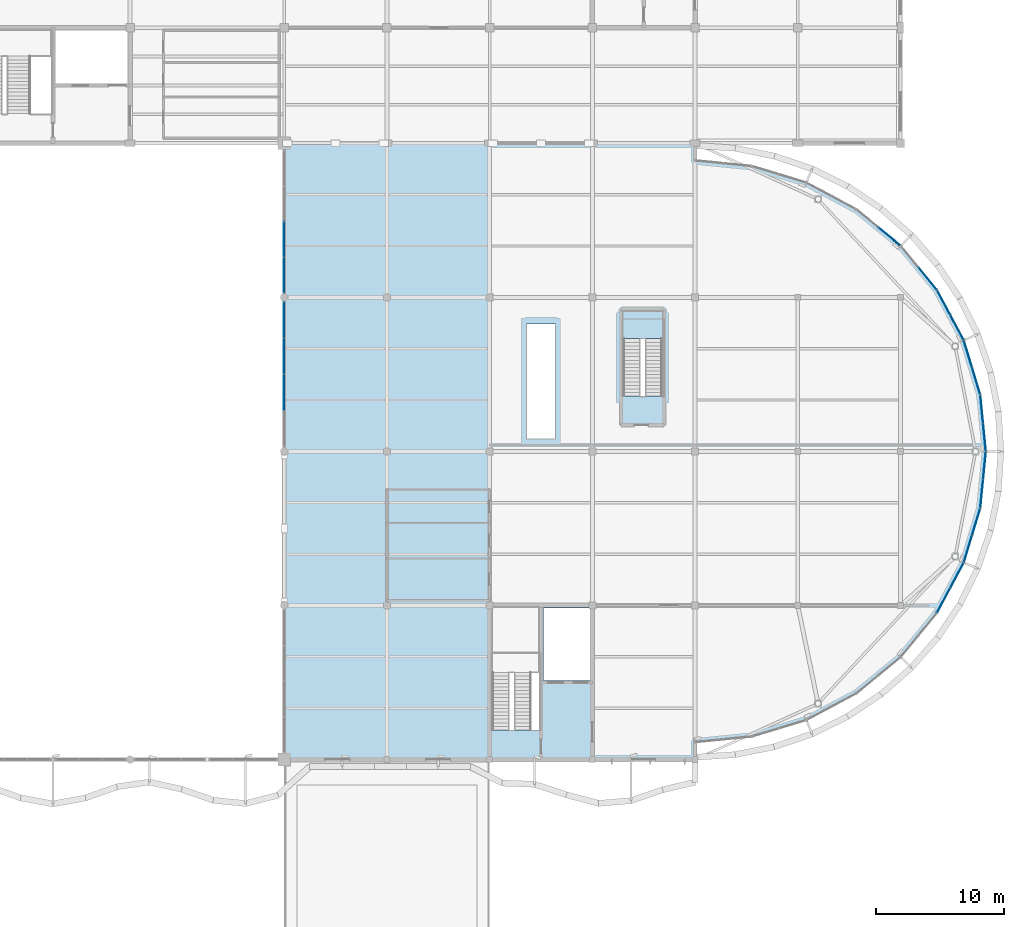
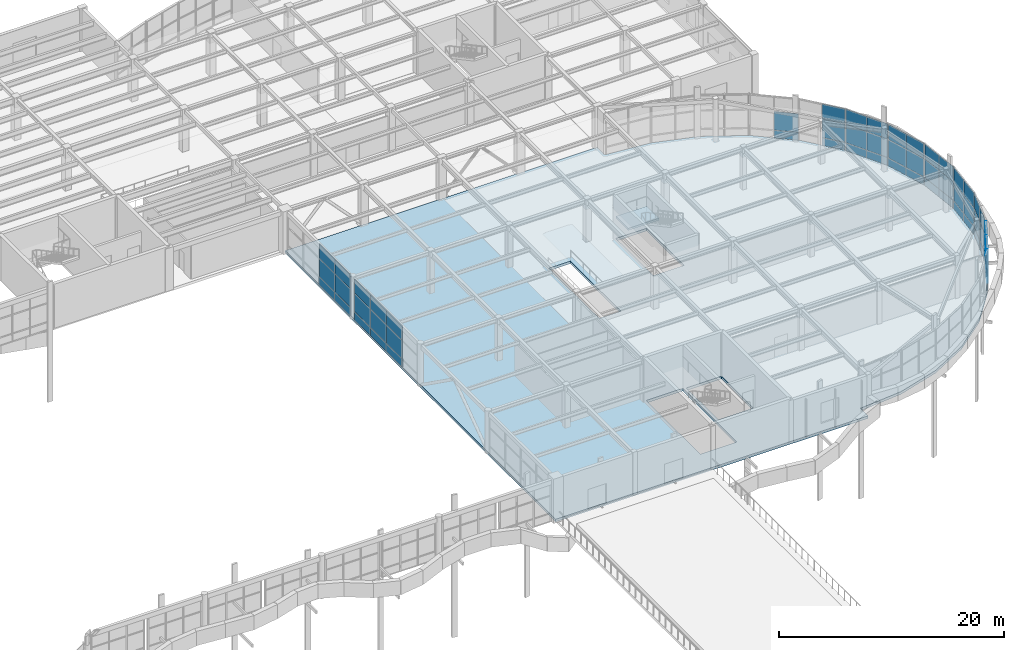
# One storey, part 39 of 63: 56 plates, 2 slabs, 11 elements without a shape of their own.
"""IFC4 building model written with IfcOpenShell, lengths in metres."""

from ifc_helpers import new_model, si_unit, direction, frame, origin, origin_2d, place, context, subcontext, project, spatial, polyline, rectangle, outline, extrude, material, layer, layer_set, type_object, element, aggregate, save


model = new_model("IFC4")

# Units and contexts
model_context = context("Model", 3, precision=1e-05, world=origin(), true_north=direction((0.0, 1.0)))
body_context = subcontext(model_context, "Body", "Model", "MODEL_VIEW")
ifc_project = project(units=[si_unit("LENGTHUNIT", "METRE"), si_unit("AREAUNIT", "SQUARE_METRE"), si_unit("VOLUMEUNIT", "CUBIC_METRE"), si_unit("PLANEANGLEUNIT", "RADIAN"), si_unit("MASSUNIT", "GRAM", prefix="KILO")], contexts=[model_context])

# Site, building, storey
site_placement = place(None, origin())
site = spatial("IfcSite", under=ifc_project, at=site_placement, CompositionType="ELEMENT")
building_placement = place(site_placement, origin())
building = spatial("IfcBuilding", under=site, at=building_placement, Name="Keelwater Ferry Terminal", CompositionType="ELEMENT")
storey_placement = place(building_placement, frame((0.0, 0.0, 10.199951171875)))
storey = spatial("IfcBuildingStorey", under=building, at=storey_placement, Name="L02", CompositionType="ELEMENT", Elevation=10.199951171875)

# Curtain wall, plates
ifc_material_1 = material(Name="Thermally broken unitised aluminium and triple glass", Category="aluminium")
ifc_layer_1 = layer(ifc_material_1, 0.179931640625)
ifc_layer_set_1 = layer_set([ifc_layer_1], Name="Thermally broken unitised aluminium and triple glass")
curtain_wall_type_1 = type_object("IfcCurtainWallType", Name="CW-15 Unitised Curtain Wall 11250x4450", PredefinedType="USERDEFINED", material=ifc_layer_set_1)
curtain_wall_1_placement = place(storey_placement, origin())
curtain_wall_1 = element("IfcCurtainWall", 1, at=curtain_wall_1_placement, inside=storey, type_object=curtain_wall_type_1, Name="Unitised Curtain Wall CW-L02-075", ObjectType="UNITISED CURTAIN WALL", PredefinedType="USERDEFINED")
ifc_material_2 = material(Name="Insulated white cassette spandrel", Category="aluminium")
ifc_layer_2 = layer(ifc_material_2, 0.094970703125)
ifc_layer_set_2 = layer_set([ifc_layer_2], Name="Insulated white cassette spandrel")
plate_type_1 = type_object("IfcPlateType", Name="CWP-S2 Insulated Spandrel Panel 95", PredefinedType="CURTAIN_PANEL", material=ifc_layer_set_2)
plate_1_placement = place(storey_placement, frame((132.0, 70.59375, 0.0), z_axis=(0.0, 0.0, 1.0), x_axis=(0.0, 1.0, 0.0)))
plate_1 = element("IfcPlate", 2, at=plate_1_placement, type_object=plate_type_1, Name="CW-L02-075 Panel 2.1", PredefinedType="CURTAIN_PANEL", context=body_context, shape_type="SweptSolid", body=[
    extrude(rectangle(XDim=2.8125, YDim=0.094970703125, at=origin_2d()), origin(), (0.0, 0.0, 1.0), 0.89990234375),
])
plate_2_placement = place(storey_placement, frame((132.0, 73.40625, 0.0), z_axis=(0.0, 0.0, 1.0), x_axis=(0.0, 1.0, 0.0)))
plate_2 = element("IfcPlate", 3, at=plate_2_placement, type_object=plate_type_1, Name="CW-L02-075 Panel 3.1", PredefinedType="CURTAIN_PANEL", context=body_context, shape_type="SweptSolid", body=[
    extrude(rectangle(XDim=2.8125, YDim=0.094970703125, at=origin_2d()), origin(), (0.0, 0.0, 1.0), 0.89990234375),
])
plate_3_placement = place(storey_placement, frame((132.0, 76.21875, 0.0), z_axis=(0.0, 0.0, 1.0), x_axis=(0.0, 1.0, 0.0)))
plate_3 = element("IfcPlate", 4, at=plate_3_placement, type_object=plate_type_1, Name="CW-L02-075 Panel 4.1", PredefinedType="CURTAIN_PANEL", context=body_context, shape_type="SweptSolid", body=[
    extrude(rectangle(XDim=2.8125, YDim=0.094970703125, at=origin_2d()), origin(), (0.0, 0.0, 1.0), 0.89990234375),
])

ifc_material_3 = material(Name="Thermally broken unitised aluminium and triple glass", Category="aluminium")
ifc_layer_3 = layer(ifc_material_3, 0.179931640625)
ifc_layer_set_3 = layer_set([ifc_layer_3], Name="Thermally broken unitised aluminium and triple glass")
curtain_wall_type_2 = type_object("IfcCurtainWallType", Name="CW-14 Unitised Curtain Wall 11050x4450", PredefinedType="USERDEFINED", material=ifc_layer_set_3)
curtain_wall_2_placement = place(storey_placement, origin())
curtain_wall_2 = element("IfcCurtainWall", 5, at=curtain_wall_2_placement, inside=storey, type_object=curtain_wall_type_2, Name="Unitised Curtain Wall CW-L02-076", ObjectType="UNITISED CURTAIN WALL", PredefinedType="USERDEFINED")
plate_4_placement = place(storey_placement, frame((132.0, 79.75634765625, 0.0), z_axis=(0.0, 0.0, 1.0), x_axis=(0.0, 1.0, 0.0)))
plate_4 = element("IfcPlate", 6, at=plate_4_placement, type_object=plate_type_1, Name="CW-L02-076 Panel 1.1", PredefinedType="CURTAIN_PANEL", context=body_context, shape_type="SweptSolid", body=[
    extrude(rectangle(XDim=2.762451171875, YDim=0.094970703125, at=origin_2d()), origin(), (0.0, 0.0, 1.0), 0.89990234375),
])
plate_5_placement = place(storey_placement, frame((132.0, 82.518798828125, 0.0), z_axis=(0.0, 0.0, 1.0), x_axis=(0.0, 1.0, 0.0)))
plate_5 = element("IfcPlate", 7, at=plate_5_placement, type_object=plate_type_1, Name="CW-L02-076 Panel 2.1", PredefinedType="CURTAIN_PANEL", context=body_context, shape_type="SweptSolid", body=[
    extrude(rectangle(XDim=2.762451171875, YDim=0.094970703125, at=origin_2d()), origin(), (0.0, 0.0, 1.0), 0.89990234375),
])

ifc_material_4 = material(Name="Thermally broken unitised aluminium and triple glass", Category="aluminium")
ifc_layer_4 = layer(ifc_material_4, 0.179931640625)
ifc_layer_set_4 = layer_set([ifc_layer_4], Name="Thermally broken unitised aluminium and triple glass")
curtain_wall_type_3 = type_object("IfcCurtainWallType", Name="CW-19 Unitised Curtain Wall 4350x4480", PredefinedType="USERDEFINED", material=ifc_layer_set_4)
curtain_wall_3_placement = place(storey_placement, origin())
curtain_wall_3 = element("IfcCurtainWall", 8, at=curtain_wall_3_placement, inside=storey, type_object=curtain_wall_type_3, Name="Unitised Curtain Wall CW-L02-162", ObjectType="UNITISED CURTAIN WALL", PredefinedType="USERDEFINED")
plate_6_placement = place(storey_placement, frame((183.36669921875, 54.4150390625, 0.0), z_axis=(0.0, 0.0, 1.0), x_axis=(0.471506749303, 0.881862452632, 0.0)))
plate_6 = element("IfcPlate", 9, at=plate_6_placement, type_object=plate_type_1, Name="CW-L02-162 Panel 1.1", PredefinedType="CURTAIN_PANEL", context=body_context, shape_type="SweptSolid", body=[
    extrude(rectangle(XDim=2.175048828125, YDim=0.094970703125, at=origin_2d()), origin(), (0.0, 0.0, 1.0), 0.85009765625),
])
plate_7_placement = place(storey_placement, frame((184.392333984375, 56.3330078125, 0.0), z_axis=(0.0, 0.0, 1.0), x_axis=(0.471506749303, 0.881862452632, 0.0)))
plate_7 = element("IfcPlate", 10, at=plate_7_placement, type_object=plate_type_1, Name="CW-L02-162 Panel 2.1", PredefinedType="CURTAIN_PANEL", context=body_context, shape_type="SweptSolid", body=[
    extrude(rectangle(XDim=2.175048828125, YDim=0.094970703125, at=origin_2d()), origin(), (0.0, 0.0, 1.0), 0.85009765625),
])

curtain_wall_4_placement = place(storey_placement, origin())
curtain_wall_4 = element("IfcCurtainWall", 11, at=curtain_wall_4_placement, inside=storey, type_object=curtain_wall_type_3, Name="Unitised Curtain Wall CW-L02-163", ObjectType="UNITISED CURTAIN WALL", PredefinedType="USERDEFINED")
plate_8_placement = place(storey_placement, frame((185.254638671875, 58.415771484375, 0.0), z_axis=(0.0, 0.0, 1.0), x_axis=(0.290319989003, 0.956929623319, 0.0)))
plate_8 = element("IfcPlate", 12, at=plate_8_placement, type_object=plate_type_1, Name="CW-L02-163 Panel 1.1", PredefinedType="CURTAIN_PANEL", context=body_context, shape_type="SweptSolid", body=[
    extrude(rectangle(XDim=2.17529296875, YDim=0.094970703125, at=origin_2d()), origin(), (0.0, 0.0, 1.0), 0.85009765625),
])
plate_9_placement = place(storey_placement, frame((185.88623046875, 60.497314453125, 0.0), z_axis=(0.0, 0.0, 1.0), x_axis=(0.290319989003, 0.956929623319, 0.0)))
plate_9 = element("IfcPlate", 13, at=plate_9_placement, type_object=plate_type_1, Name="CW-L02-163 Panel 2.1", PredefinedType="CURTAIN_PANEL", context=body_context, shape_type="SweptSolid", body=[
    extrude(rectangle(XDim=2.17529296875, YDim=0.094970703125, at=origin_2d()), origin(), (0.0, 0.0, 1.0), 0.85009765625),
])

curtain_wall_5_placement = place(storey_placement, origin())
curtain_wall_5 = element("IfcCurtainWall", 14, at=curtain_wall_5_placement, inside=storey, type_object=curtain_wall_type_3, Name="Unitised Curtain Wall CW-L02-164", ObjectType="UNITISED CURTAIN WALL", PredefinedType="USERDEFINED")
plate_10_placement = place(storey_placement, frame((186.32568359375, 62.708251953125, 0.0), z_axis=(0.0, 0.0, 1.0), x_axis=(0.098160737969, 0.995170573079, 0.0)))
plate_10 = element("IfcPlate", 15, at=plate_10_placement, type_object=plate_type_1, Name="CW-L02-164 Panel 1.1", PredefinedType="CURTAIN_PANEL", context=body_context, shape_type="SweptSolid", body=[
    extrude(rectangle(XDim=2.175048828125, YDim=0.094970703125, at=origin_2d()), origin(), (0.0, 0.0, 1.0), 0.85009765625),
])
plate_11_placement = place(storey_placement, frame((186.539306640625, 64.872802734375, 0.0), z_axis=(0.0, 0.0, 1.0), x_axis=(0.098160737969, 0.995170573079, 0.0)))
plate_11 = element("IfcPlate", 16, at=plate_11_placement, type_object=plate_type_1, Name="CW-L02-164 Panel 2.1", PredefinedType="CURTAIN_PANEL", context=body_context, shape_type="SweptSolid", body=[
    extrude(rectangle(XDim=2.175048828125, YDim=0.094970703125, at=origin_2d()), origin(), (0.0, 0.0, 1.0), 0.85009765625),
])

curtain_wall_6_placement = place(storey_placement, origin())
curtain_wall_6 = element("IfcCurtainWall", 17, at=curtain_wall_6_placement, inside=storey, type_object=curtain_wall_type_3, Name="Unitised Curtain Wall CW-L02-165", ObjectType="UNITISED CURTAIN WALL", PredefinedType="USERDEFINED")
plate_12_placement = place(storey_placement, frame((186.539306640625, 67.127197265625, 0.0), z_axis=(0.0, 0.0, 1.0), x_axis=(-0.098160737969, 0.995170573079, 0.0)))
plate_12 = element("IfcPlate", 18, at=plate_12_placement, type_object=plate_type_1, Name="CW-L02-165 Panel 1.1", PredefinedType="CURTAIN_PANEL", context=body_context, shape_type="SweptSolid", body=[
    extrude(rectangle(XDim=2.175048828125, YDim=0.094970703125, at=origin_2d()), origin(), (0.0, 0.0, 1.0), 0.85009765625),
])
plate_13_placement = place(storey_placement, frame((186.32568359375, 69.291748046875, 0.0), z_axis=(0.0, 0.0, 1.0), x_axis=(-0.098160737969, 0.995170573079, 0.0)))
plate_13 = element("IfcPlate", 19, at=plate_13_placement, type_object=plate_type_1, Name="CW-L02-165 Panel 2.1", PredefinedType="CURTAIN_PANEL", context=body_context, shape_type="SweptSolid", body=[
    extrude(rectangle(XDim=2.175048828125, YDim=0.094970703125, at=origin_2d()), origin(), (0.0, 0.0, 1.0), 0.85009765625),
])

curtain_wall_7_placement = place(storey_placement, origin())
curtain_wall_7 = element("IfcCurtainWall", 20, at=curtain_wall_7_placement, inside=storey, type_object=curtain_wall_type_3, Name="Unitised Curtain Wall CW-L02-166", ObjectType="UNITISED CURTAIN WALL", PredefinedType="USERDEFINED")
plate_14_placement = place(storey_placement, frame((185.88623046875, 71.502685546875, 0.0), z_axis=(0.0, 0.0, 1.0), x_axis=(-0.290319989003, 0.956929623319, 0.0)))
plate_14 = element("IfcPlate", 21, at=plate_14_placement, type_object=plate_type_1, Name="CW-L02-166 Panel 1.1", PredefinedType="CURTAIN_PANEL", context=body_context, shape_type="SweptSolid", body=[
    extrude(rectangle(XDim=2.17529296875, YDim=0.094970703125, at=origin_2d()), origin(), (0.0, 0.0, 1.0), 0.85009765625),
])
plate_15_placement = place(storey_placement, frame((185.254638671875, 73.584228515625, 0.0), z_axis=(0.0, 0.0, 1.0), x_axis=(-0.290319989003, 0.956929623319, 0.0)))
plate_15 = element("IfcPlate", 22, at=plate_15_placement, type_object=plate_type_1, Name="CW-L02-166 Panel 2.1", PredefinedType="CURTAIN_PANEL", context=body_context, shape_type="SweptSolid", body=[
    extrude(rectangle(XDim=2.17529296875, YDim=0.094970703125, at=origin_2d()), origin(), (0.0, 0.0, 1.0), 0.85009765625),
])

curtain_wall_8_placement = place(storey_placement, origin())
curtain_wall_8 = element("IfcCurtainWall", 23, at=curtain_wall_8_placement, inside=storey, type_object=curtain_wall_type_3, Name="Unitised Curtain Wall CW-L02-167", ObjectType="UNITISED CURTAIN WALL", PredefinedType="USERDEFINED")
plate_16_placement = place(storey_placement, frame((184.392333984375, 75.6669921875, 0.0), z_axis=(0.0, 0.0, 1.0), x_axis=(-0.471506749303, 0.881862452632, 0.0)))
plate_16 = element("IfcPlate", 24, at=plate_16_placement, type_object=plate_type_1, Name="CW-L02-167 Panel 1.1", PredefinedType="CURTAIN_PANEL", context=body_context, shape_type="SweptSolid", body=[
    extrude(rectangle(XDim=2.175048828125, YDim=0.094970703125, at=origin_2d()), origin(), (0.0, 0.0, 1.0), 0.85009765625),
])
plate_17_placement = place(storey_placement, frame((183.36669921875, 77.5849609375, 0.0), z_axis=(0.0, 0.0, 1.0), x_axis=(-0.471506749303, 0.881862452632, 0.0)))
plate_17 = element("IfcPlate", 25, at=plate_17_placement, type_object=plate_type_1, Name="CW-L02-167 Panel 2.1", PredefinedType="CURTAIN_PANEL", context=body_context, shape_type="SweptSolid", body=[
    extrude(rectangle(XDim=2.175048828125, YDim=0.094970703125, at=origin_2d()), origin(), (0.0, 0.0, 1.0), 0.85009765625),
])

# Curtain wall, plate
curtain_wall_9_placement = place(storey_placement, origin())
curtain_wall_9 = element("IfcCurtainWall", 26, at=curtain_wall_9_placement, inside=storey, type_object=curtain_wall_type_3, Name="Unitised Curtain Wall CW-L02-168", ObjectType="UNITISED CURTAIN WALL", PredefinedType="USERDEFINED")
plate_18_placement = place(storey_placement, frame((182.1142578125, 79.45947265625, 0.0), z_axis=(0.0, 0.0, 1.0), x_axis=(-0.634376508991, 0.773024220086, 0.0)))
plate_18 = element("IfcPlate", 27, at=plate_18_placement, type_object=plate_type_1, Name="CW-L02-168 Panel 1.1", PredefinedType="CURTAIN_PANEL", context=body_context, shape_type="SweptSolid", body=[
    extrude(rectangle(XDim=2.174560546875, YDim=0.094970703125, at=origin_2d()), origin(), (0.0, 0.0, 1.0), 0.85009765625),
])

curtain_wall_10_placement = place(storey_placement, origin())
curtain_wall_10 = element("IfcCurtainWall", 28, at=curtain_wall_10_placement, inside=storey, type_object=curtain_wall_type_3, Name="Unitised Curtain Wall CW-L02-169", ObjectType="UNITISED CURTAIN WALL", PredefinedType="USERDEFINED")
plate_19_placement = place(storey_placement, frame((179.140380859375, 82.73486328125, 0.0), z_axis=(0.0, 0.0, 1.0), x_axis=(-0.773024220086, 0.634376508991, 0.0)))
plate_19 = element("IfcPlate", 29, at=plate_19_placement, type_object=plate_type_1, Name="CW-L02-169 Panel 1.1", PredefinedType="CURTAIN_PANEL", context=body_context, shape_type="SweptSolid", body=[
    extrude(rectangle(XDim=2.174560546875, YDim=0.094970703125, at=origin_2d()), origin(), (0.0, 0.0, 1.0), 0.85009765625),
])

# Plate
ifc_material_5 = material(Name="Triple solar-control glass", Category="glass")
ifc_layer_5 = layer(ifc_material_5, 0.0419921875)
ifc_layer_set_5 = layer_set([ifc_layer_5], Name="Triple solar-control glass")
plate_type_2 = type_object("IfcPlateType", Name="CWP-V2 Glazed Vision Panel 42", PredefinedType="CURTAIN_PANEL", material=ifc_layer_set_5)
plate_20_placement = place(storey_placement, frame((132.0, 70.59375, 0.900146484375), z_axis=(0.0, 0.0, 1.0), x_axis=(0.0, 1.0, 0.0)))
plate_20 = element("IfcPlate", 30, at=plate_20_placement, type_object=plate_type_2, Name="CW-L02-075 Panel 2.2", PredefinedType="CURTAIN_PANEL", context=body_context, shape_type="SweptSolid", body=[
    extrude(rectangle(XDim=2.8125, YDim=0.0419921875, at=origin_2d()), origin(), (0.0, 0.0, 1.0), 2.0),
])

plate_21_placement = place(storey_placement, frame((132.0, 70.59375, 2.89990234375), z_axis=(0.0, 0.0, 1.0), x_axis=(0.0, 1.0, 0.0)))
plate_21 = element("IfcPlate", 31, at=plate_21_placement, type_object=plate_type_2, Name="CW-L02-075 Panel 2.3", PredefinedType="CURTAIN_PANEL", context=body_context, shape_type="SweptSolid", body=[
    extrude(rectangle(XDim=2.8125, YDim=0.0419921875, at=origin_2d()), origin(), (0.0, 0.0, 1.0), 1.550048828125),
])

plate_22_placement = place(storey_placement, frame((132.0, 73.40625, 0.900146484375), z_axis=(0.0, 0.0, 1.0), x_axis=(0.0, 1.0, 0.0)))
plate_22 = element("IfcPlate", 32, at=plate_22_placement, type_object=plate_type_2, Name="CW-L02-075 Panel 3.2", PredefinedType="CURTAIN_PANEL", context=body_context, shape_type="SweptSolid", body=[
    extrude(rectangle(XDim=2.8125, YDim=0.0419921875, at=origin_2d()), origin(), (0.0, 0.0, 1.0), 2.0),
])

plate_23_placement = place(storey_placement, frame((132.0, 73.40625, 2.89990234375), z_axis=(0.0, 0.0, 1.0), x_axis=(0.0, 1.0, 0.0)))
plate_23 = element("IfcPlate", 33, at=plate_23_placement, type_object=plate_type_2, Name="CW-L02-075 Panel 3.3", PredefinedType="CURTAIN_PANEL", context=body_context, shape_type="SweptSolid", body=[
    extrude(rectangle(XDim=2.8125, YDim=0.0419921875, at=origin_2d()), origin(), (0.0, 0.0, 1.0), 1.550048828125),
])

plate_24_placement = place(storey_placement, frame((132.0, 76.21875, 0.900146484375), z_axis=(0.0, 0.0, 1.0), x_axis=(0.0, 1.0, 0.0)))
plate_24 = element("IfcPlate", 34, at=plate_24_placement, type_object=plate_type_2, Name="CW-L02-075 Panel 4.2", PredefinedType="CURTAIN_PANEL", context=body_context, shape_type="SweptSolid", body=[
    extrude(rectangle(XDim=2.8125, YDim=0.0419921875, at=origin_2d()), origin(), (0.0, 0.0, 1.0), 2.0),
])

plate_25_placement = place(storey_placement, frame((132.0, 76.21875, 2.89990234375), z_axis=(0.0, 0.0, 1.0), x_axis=(0.0, 1.0, 0.0)))
plate_25 = element("IfcPlate", 35, at=plate_25_placement, type_object=plate_type_2, Name="CW-L02-075 Panel 4.3", PredefinedType="CURTAIN_PANEL", context=body_context, shape_type="SweptSolid", body=[
    extrude(rectangle(XDim=2.8125, YDim=0.0419921875, at=origin_2d()), origin(), (0.0, 0.0, 1.0), 1.550048828125),
])

aggregate(curtain_wall_1, [plate_1, plate_20, plate_21, plate_2, plate_22, plate_23, plate_3, plate_24, plate_25])

plate_26_placement = place(storey_placement, frame((132.0, 79.75634765625, 0.900146484375), z_axis=(0.0, 0.0, 1.0), x_axis=(0.0, 1.0, 0.0)))
plate_26 = element("IfcPlate", 36, at=plate_26_placement, type_object=plate_type_2, Name="CW-L02-076 Panel 1.2", PredefinedType="CURTAIN_PANEL", context=body_context, shape_type="SweptSolid", body=[
    extrude(rectangle(XDim=2.762451171875, YDim=0.0419921875, at=origin_2d()), origin(), (0.0, 0.0, 1.0), 2.0),
])

plate_27_placement = place(storey_placement, frame((132.0, 79.75634765625, 2.89990234375), z_axis=(0.0, 0.0, 1.0), x_axis=(0.0, 1.0, 0.0)))
plate_27 = element("IfcPlate", 37, at=plate_27_placement, type_object=plate_type_2, Name="CW-L02-076 Panel 1.3", PredefinedType="CURTAIN_PANEL", context=body_context, shape_type="SweptSolid", body=[
    extrude(rectangle(XDim=2.762451171875, YDim=0.0419921875, at=origin_2d()), origin(), (0.0, 0.0, 1.0), 1.550048828125),
])

plate_28_placement = place(storey_placement, frame((132.0, 82.518798828125, 0.900146484375), z_axis=(0.0, 0.0, 1.0), x_axis=(0.0, 1.0, 0.0)))
plate_28 = element("IfcPlate", 38, at=plate_28_placement, type_object=plate_type_2, Name="CW-L02-076 Panel 2.2", PredefinedType="CURTAIN_PANEL", context=body_context, shape_type="SweptSolid", body=[
    extrude(rectangle(XDim=2.762451171875, YDim=0.0419921875, at=origin_2d()), origin(), (0.0, 0.0, 1.0), 2.0),
])

plate_29_placement = place(storey_placement, frame((132.0, 82.518798828125, 2.89990234375), z_axis=(0.0, 0.0, 1.0), x_axis=(0.0, 1.0, 0.0)))
plate_29 = element("IfcPlate", 39, at=plate_29_placement, type_object=plate_type_2, Name="CW-L02-076 Panel 2.3", PredefinedType="CURTAIN_PANEL", context=body_context, shape_type="SweptSolid", body=[
    extrude(rectangle(XDim=2.762451171875, YDim=0.0419921875, at=origin_2d()), origin(), (0.0, 0.0, 1.0), 1.550048828125),
])

aggregate(curtain_wall_2, [plate_4, plate_26, plate_27, plate_5, plate_28, plate_29])

plate_30_placement = place(storey_placement, frame((183.36669921875, 54.4150390625, 0.85009765625), z_axis=(0.0, 0.0, 1.0), x_axis=(0.471506749303, 0.881862452632, 0.0)))
plate_30 = element("IfcPlate", 40, at=plate_30_placement, type_object=plate_type_2, Name="CW-L02-162 Panel 1.2", PredefinedType="CURTAIN_PANEL", context=body_context, shape_type="SweptSolid", body=[
    extrude(rectangle(XDim=2.175048828125, YDim=0.0419921875, at=origin_2d()), origin(), (0.0, 0.0, 1.0), 2.0),
])

plate_31_placement = place(storey_placement, frame((183.36669921875, 54.4150390625, 2.85009765625), z_axis=(0.0, 0.0, 1.0), x_axis=(0.471506749303, 0.881862452632, 0.0)))
plate_31 = element("IfcPlate", 41, at=plate_31_placement, type_object=plate_type_2, Name="CW-L02-162 Panel 1.3", PredefinedType="CURTAIN_PANEL", context=body_context, shape_type="SweptSolid", body=[
    extrude(rectangle(XDim=2.175048828125, YDim=0.0419921875, at=origin_2d()), origin(), (0.0, 0.0, 1.0), 1.6298828125),
])

plate_32_placement = place(storey_placement, frame((184.392333984375, 56.3330078125, 0.85009765625), z_axis=(0.0, 0.0, 1.0), x_axis=(0.471506749303, 0.881862452632, 0.0)))
plate_32 = element("IfcPlate", 42, at=plate_32_placement, type_object=plate_type_2, Name="CW-L02-162 Panel 2.2", PredefinedType="CURTAIN_PANEL", context=body_context, shape_type="SweptSolid", body=[
    extrude(rectangle(XDim=2.175048828125, YDim=0.0419921875, at=origin_2d()), origin(), (0.0, 0.0, 1.0), 2.0),
])

plate_33_placement = place(storey_placement, frame((184.392333984375, 56.3330078125, 2.85009765625), z_axis=(0.0, 0.0, 1.0), x_axis=(0.471506749303, 0.881862452632, 0.0)))
plate_33 = element("IfcPlate", 43, at=plate_33_placement, type_object=plate_type_2, Name="CW-L02-162 Panel 2.3", PredefinedType="CURTAIN_PANEL", context=body_context, shape_type="SweptSolid", body=[
    extrude(rectangle(XDim=2.175048828125, YDim=0.0419921875, at=origin_2d()), origin(), (0.0, 0.0, 1.0), 1.6298828125),
])

aggregate(curtain_wall_3, [plate_6, plate_30, plate_31, plate_7, plate_32, plate_33])

plate_34_placement = place(storey_placement, frame((185.254638671875, 58.415771484375, 0.85009765625), z_axis=(0.0, 0.0, 1.0), x_axis=(0.290319989003, 0.956929623319, 0.0)))
plate_34 = element("IfcPlate", 44, at=plate_34_placement, type_object=plate_type_2, Name="CW-L02-163 Panel 1.2", PredefinedType="CURTAIN_PANEL", context=body_context, shape_type="SweptSolid", body=[
    extrude(rectangle(XDim=2.17529296875, YDim=0.0419921875, at=origin_2d()), origin(), (0.0, 0.0, 1.0), 2.0),
])

plate_35_placement = place(storey_placement, frame((185.254638671875, 58.415771484375, 2.85009765625), z_axis=(0.0, 0.0, 1.0), x_axis=(0.290319989003, 0.956929623319, 0.0)))
plate_35 = element("IfcPlate", 45, at=plate_35_placement, type_object=plate_type_2, Name="CW-L02-163 Panel 1.3", PredefinedType="CURTAIN_PANEL", context=body_context, shape_type="SweptSolid", body=[
    extrude(rectangle(XDim=2.17529296875, YDim=0.0419921875, at=origin_2d()), origin(), (0.0, 0.0, 1.0), 1.6298828125),
])

plate_36_placement = place(storey_placement, frame((185.88623046875, 60.497314453125, 0.85009765625), z_axis=(0.0, 0.0, 1.0), x_axis=(0.290319989003, 0.956929623319, 0.0)))
plate_36 = element("IfcPlate", 46, at=plate_36_placement, type_object=plate_type_2, Name="CW-L02-163 Panel 2.2", PredefinedType="CURTAIN_PANEL", context=body_context, shape_type="SweptSolid", body=[
    extrude(rectangle(XDim=2.17529296875, YDim=0.0419921875, at=origin_2d()), origin(), (0.0, 0.0, 1.0), 2.0),
])

plate_37_placement = place(storey_placement, frame((185.88623046875, 60.497314453125, 2.85009765625), z_axis=(0.0, 0.0, 1.0), x_axis=(0.290319989003, 0.956929623319, 0.0)))
plate_37 = element("IfcPlate", 47, at=plate_37_placement, type_object=plate_type_2, Name="CW-L02-163 Panel 2.3", PredefinedType="CURTAIN_PANEL", context=body_context, shape_type="SweptSolid", body=[
    extrude(rectangle(XDim=2.17529296875, YDim=0.0419921875, at=origin_2d()), origin(), (0.0, 0.0, 1.0), 1.6298828125),
])

aggregate(curtain_wall_4, [plate_8, plate_34, plate_35, plate_9, plate_36, plate_37])

plate_38_placement = place(storey_placement, frame((186.32568359375, 62.708251953125, 0.85009765625), z_axis=(0.0, 0.0, 1.0), x_axis=(0.098160737969, 0.995170573079, 0.0)))
plate_38 = element("IfcPlate", 48, at=plate_38_placement, type_object=plate_type_2, Name="CW-L02-164 Panel 1.2", PredefinedType="CURTAIN_PANEL", context=body_context, shape_type="SweptSolid", body=[
    extrude(rectangle(XDim=2.175048828125, YDim=0.0419921875, at=origin_2d()), origin(), (0.0, 0.0, 1.0), 2.0),
])

plate_39_placement = place(storey_placement, frame((186.32568359375, 62.708251953125, 2.85009765625), z_axis=(0.0, 0.0, 1.0), x_axis=(0.098160737969, 0.995170573079, 0.0)))
plate_39 = element("IfcPlate", 49, at=plate_39_placement, type_object=plate_type_2, Name="CW-L02-164 Panel 1.3", PredefinedType="CURTAIN_PANEL", context=body_context, shape_type="SweptSolid", body=[
    extrude(rectangle(XDim=2.175048828125, YDim=0.0419921875, at=origin_2d()), origin(), (0.0, 0.0, 1.0), 1.6298828125),
])

plate_40_placement = place(storey_placement, frame((186.539306640625, 64.872802734375, 0.85009765625), z_axis=(0.0, 0.0, 1.0), x_axis=(0.098160737969, 0.995170573079, 0.0)))
plate_40 = element("IfcPlate", 50, at=plate_40_placement, type_object=plate_type_2, Name="CW-L02-164 Panel 2.2", PredefinedType="CURTAIN_PANEL", context=body_context, shape_type="SweptSolid", body=[
    extrude(rectangle(XDim=2.175048828125, YDim=0.0419921875, at=origin_2d()), origin(), (0.0, 0.0, 1.0), 2.0),
])

plate_41_placement = place(storey_placement, frame((186.539306640625, 64.872802734375, 2.85009765625), z_axis=(0.0, 0.0, 1.0), x_axis=(0.098160737969, 0.995170573079, 0.0)))
plate_41 = element("IfcPlate", 51, at=plate_41_placement, type_object=plate_type_2, Name="CW-L02-164 Panel 2.3", PredefinedType="CURTAIN_PANEL", context=body_context, shape_type="SweptSolid", body=[
    extrude(rectangle(XDim=2.175048828125, YDim=0.0419921875, at=origin_2d()), origin(), (0.0, 0.0, 1.0), 1.6298828125),
])

aggregate(curtain_wall_5, [plate_10, plate_38, plate_39, plate_11, plate_40, plate_41])

plate_42_placement = place(storey_placement, frame((186.539306640625, 67.127197265625, 0.85009765625), z_axis=(0.0, 0.0, 1.0), x_axis=(-0.098160737969, 0.995170573079, 0.0)))
plate_42 = element("IfcPlate", 52, at=plate_42_placement, type_object=plate_type_2, Name="CW-L02-165 Panel 1.2", PredefinedType="CURTAIN_PANEL", context=body_context, shape_type="SweptSolid", body=[
    extrude(rectangle(XDim=2.175048828125, YDim=0.0419921875, at=origin_2d()), origin(), (0.0, 0.0, 1.0), 2.0),
])

plate_43_placement = place(storey_placement, frame((186.539306640625, 67.127197265625, 2.85009765625), z_axis=(0.0, 0.0, 1.0), x_axis=(-0.098160737969, 0.995170573079, 0.0)))
plate_43 = element("IfcPlate", 53, at=plate_43_placement, type_object=plate_type_2, Name="CW-L02-165 Panel 1.3", PredefinedType="CURTAIN_PANEL", context=body_context, shape_type="SweptSolid", body=[
    extrude(rectangle(XDim=2.175048828125, YDim=0.0419921875, at=origin_2d()), origin(), (0.0, 0.0, 1.0), 1.6298828125),
])

plate_44_placement = place(storey_placement, frame((186.32568359375, 69.291748046875, 0.85009765625), z_axis=(0.0, 0.0, 1.0), x_axis=(-0.098160737969, 0.995170573079, 0.0)))
plate_44 = element("IfcPlate", 54, at=plate_44_placement, type_object=plate_type_2, Name="CW-L02-165 Panel 2.2", PredefinedType="CURTAIN_PANEL", context=body_context, shape_type="SweptSolid", body=[
    extrude(rectangle(XDim=2.175048828125, YDim=0.0419921875, at=origin_2d()), origin(), (0.0, 0.0, 1.0), 2.0),
])

plate_45_placement = place(storey_placement, frame((186.32568359375, 69.291748046875, 2.85009765625), z_axis=(0.0, 0.0, 1.0), x_axis=(-0.098160737969, 0.995170573079, 0.0)))
plate_45 = element("IfcPlate", 55, at=plate_45_placement, type_object=plate_type_2, Name="CW-L02-165 Panel 2.3", PredefinedType="CURTAIN_PANEL", context=body_context, shape_type="SweptSolid", body=[
    extrude(rectangle(XDim=2.175048828125, YDim=0.0419921875, at=origin_2d()), origin(), (0.0, 0.0, 1.0), 1.6298828125),
])

aggregate(curtain_wall_6, [plate_12, plate_42, plate_43, plate_13, plate_44, plate_45])

plate_46_placement = place(storey_placement, frame((185.88623046875, 71.502685546875, 0.85009765625), z_axis=(0.0, 0.0, 1.0), x_axis=(-0.290319989003, 0.956929623319, 0.0)))
plate_46 = element("IfcPlate", 56, at=plate_46_placement, type_object=plate_type_2, Name="CW-L02-166 Panel 1.2", PredefinedType="CURTAIN_PANEL", context=body_context, shape_type="SweptSolid", body=[
    extrude(rectangle(XDim=2.17529296875, YDim=0.0419921875, at=origin_2d()), origin(), (0.0, 0.0, 1.0), 2.0),
])

plate_47_placement = place(storey_placement, frame((185.88623046875, 71.502685546875, 2.85009765625), z_axis=(0.0, 0.0, 1.0), x_axis=(-0.290319989003, 0.956929623319, 0.0)))
plate_47 = element("IfcPlate", 57, at=plate_47_placement, type_object=plate_type_2, Name="CW-L02-166 Panel 1.3", PredefinedType="CURTAIN_PANEL", context=body_context, shape_type="SweptSolid", body=[
    extrude(rectangle(XDim=2.17529296875, YDim=0.0419921875, at=origin_2d()), origin(), (0.0, 0.0, 1.0), 1.6298828125),
])

plate_48_placement = place(storey_placement, frame((185.254638671875, 73.584228515625, 0.85009765625), z_axis=(0.0, 0.0, 1.0), x_axis=(-0.290319989003, 0.956929623319, 0.0)))
plate_48 = element("IfcPlate", 58, at=plate_48_placement, type_object=plate_type_2, Name="CW-L02-166 Panel 2.2", PredefinedType="CURTAIN_PANEL", context=body_context, shape_type="SweptSolid", body=[
    extrude(rectangle(XDim=2.17529296875, YDim=0.0419921875, at=origin_2d()), origin(), (0.0, 0.0, 1.0), 2.0),
])

plate_49_placement = place(storey_placement, frame((185.254638671875, 73.584228515625, 2.85009765625), z_axis=(0.0, 0.0, 1.0), x_axis=(-0.290319989003, 0.956929623319, 0.0)))
plate_49 = element("IfcPlate", 59, at=plate_49_placement, type_object=plate_type_2, Name="CW-L02-166 Panel 2.3", PredefinedType="CURTAIN_PANEL", context=body_context, shape_type="SweptSolid", body=[
    extrude(rectangle(XDim=2.17529296875, YDim=0.0419921875, at=origin_2d()), origin(), (0.0, 0.0, 1.0), 1.6298828125),
])

aggregate(curtain_wall_7, [plate_14, plate_46, plate_47, plate_15, plate_48, plate_49])

plate_50_placement = place(storey_placement, frame((184.392333984375, 75.6669921875, 0.85009765625), z_axis=(0.0, 0.0, 1.0), x_axis=(-0.471506749303, 0.881862452632, 0.0)))
plate_50 = element("IfcPlate", 60, at=plate_50_placement, type_object=plate_type_2, Name="CW-L02-167 Panel 1.2", PredefinedType="CURTAIN_PANEL", context=body_context, shape_type="SweptSolid", body=[
    extrude(rectangle(XDim=2.175048828125, YDim=0.0419921875, at=origin_2d()), origin(), (0.0, 0.0, 1.0), 2.0),
])

plate_51_placement = place(storey_placement, frame((184.392333984375, 75.6669921875, 2.85009765625), z_axis=(0.0, 0.0, 1.0), x_axis=(-0.471506749303, 0.881862452632, 0.0)))
plate_51 = element("IfcPlate", 61, at=plate_51_placement, type_object=plate_type_2, Name="CW-L02-167 Panel 1.3", PredefinedType="CURTAIN_PANEL", context=body_context, shape_type="SweptSolid", body=[
    extrude(rectangle(XDim=2.175048828125, YDim=0.0419921875, at=origin_2d()), origin(), (0.0, 0.0, 1.0), 1.6298828125),
])

plate_52_placement = place(storey_placement, frame((183.36669921875, 77.5849609375, 0.85009765625), z_axis=(0.0, 0.0, 1.0), x_axis=(-0.471506749303, 0.881862452632, 0.0)))
plate_52 = element("IfcPlate", 62, at=plate_52_placement, type_object=plate_type_2, Name="CW-L02-167 Panel 2.2", PredefinedType="CURTAIN_PANEL", context=body_context, shape_type="SweptSolid", body=[
    extrude(rectangle(XDim=2.175048828125, YDim=0.0419921875, at=origin_2d()), origin(), (0.0, 0.0, 1.0), 2.0),
])

plate_53_placement = place(storey_placement, frame((183.36669921875, 77.5849609375, 2.85009765625), z_axis=(0.0, 0.0, 1.0), x_axis=(-0.471506749303, 0.881862452632, 0.0)))
plate_53 = element("IfcPlate", 63, at=plate_53_placement, type_object=plate_type_2, Name="CW-L02-167 Panel 2.3", PredefinedType="CURTAIN_PANEL", context=body_context, shape_type="SweptSolid", body=[
    extrude(rectangle(XDim=2.175048828125, YDim=0.0419921875, at=origin_2d()), origin(), (0.0, 0.0, 1.0), 1.6298828125),
])

aggregate(curtain_wall_8, [plate_16, plate_50, plate_51, plate_17, plate_52, plate_53])

plate_54_placement = place(storey_placement, frame((182.1142578125, 79.45947265625, 0.85009765625), z_axis=(0.0, 0.0, 1.0), x_axis=(-0.634376508991, 0.773024220086, 0.0)))
plate_54 = element("IfcPlate", 64, at=plate_54_placement, type_object=plate_type_2, Name="CW-L02-168 Panel 1.2", PredefinedType="CURTAIN_PANEL", context=body_context, shape_type="SweptSolid", body=[
    extrude(rectangle(XDim=2.174560546875, YDim=0.0419921875, at=origin_2d()), origin(), (0.0, 0.0, 1.0), 2.0),
])

plate_55_placement = place(storey_placement, frame((182.1142578125, 79.45947265625, 2.85009765625), z_axis=(0.0, 0.0, 1.0), x_axis=(-0.634376508991, 0.773024220086, 0.0)))
plate_55 = element("IfcPlate", 65, at=plate_55_placement, type_object=plate_type_2, Name="CW-L02-168 Panel 1.3", PredefinedType="CURTAIN_PANEL", context=body_context, shape_type="SweptSolid", body=[
    extrude(rectangle(XDim=2.174560546875, YDim=0.0419921875, at=origin_2d()), origin(), (0.0, 0.0, 1.0), 1.6298828125),
])

aggregate(curtain_wall_9, [plate_18, plate_54, plate_55])

plate_56_placement = place(storey_placement, frame((179.140380859375, 82.73486328125, 0.85009765625), z_axis=(0.0, 0.0, 1.0), x_axis=(-0.773024220086, 0.634376508991, 0.0)))
plate_56 = element("IfcPlate", 66, at=plate_56_placement, type_object=plate_type_2, Name="CW-L02-169 Panel 1.2", PredefinedType="CURTAIN_PANEL", context=body_context, shape_type="SweptSolid", body=[
    extrude(rectangle(XDim=2.174560546875, YDim=0.0419921875, at=origin_2d()), origin(), (0.0, 0.0, 1.0), 2.0),
])

aggregate(curtain_wall_10, [plate_19, plate_56])

# Slab
ifc_material_6 = material(Name="Concrete C40/50", Category="concrete")
ifc_layer_6 = layer(ifc_material_6, 0.280029296875)
ifc_layer_set_6 = layer_set([ifc_layer_6], Name="Concrete C40/50")
slab_type_1 = type_object("IfcSlabType", Name="SL-F280 Suspended Floor Slab 280", PredefinedType="FLOOR", material=ifc_layer_set_6)
slab_1_placement = place(storey_placement, frame((0.0, 0.0, -0.280029296875)))
element("IfcSlab", 67, at=slab_1_placement, inside=storey, type_object=slab_type_1, Name="V2 International Lounge Semicircular Floor Slab SL-L02-043", PredefinedType="FLOOR", context=body_context, shape_type="SweptSolid", body=[
    extrude(outline(polyline([(132.0, 42.0), (164.0, 42.0), (164.0, 43.35009765625), (168.4189453125, 43.784912109375), (172.66796875, 45.073974609375), (176.583984375, 47.1669921875), (180.01611328125, 49.98388671875), (182.8330078125, 53.416015625), (184.926025390625, 57.33203125), (186.215087890625, 61.5810546875), (186.64990234375, 66.0), (186.215087890625, 70.4189453125), (184.926025390625, 74.66796875), (182.8330078125, 78.583984375), (180.01611328125, 82.01611328125), (176.583984375, 84.8330078125), (172.66796875, 86.926025390625), (168.4189453125, 88.215087890625), (164.0, 88.64990234375), (164.0, 90.0), (132.0, 90.0), (132.0, 42.0)]), holes=[polyline([(148.14990234375, 44.320068359375), (151.89990234375, 44.320068359375), (151.89990234375, 53.89990234375), (148.14990234375, 53.89990234375), (148.14990234375, 44.320068359375)]), polyline([(152.199951171875, 48.14990234375), (155.800048828125, 48.14990234375), (155.800048828125, 53.800048828125), (152.199951171875, 53.800048828125), (152.199951171875, 48.14990234375)]), polyline([(158.35009765625, 70.320068359375), (161.5, 70.320068359375), (161.5, 76.949951171875), (158.35009765625, 76.949951171875), (158.35009765625, 70.320068359375)]), polyline([(150.89990234375, 67.0), (153.10009765625, 67.0), (153.10009765625, 75.93994140625), (150.89990234375, 75.93994140625), (150.89990234375, 67.0)])]), origin(), (0.0, 0.0, 1.0), 0.280029296875),
])

# Stair, slab
ifc_material_7 = material(Name="Concrete C40/50", Category="concrete")
stair_type = type_object("IfcStairType", Name="ST-T02 Half-Turn Stair 1350W 32R", PredefinedType="HALF_TURN_STAIR", material=ifc_material_7)
stair_placement = place(storey_placement, origin())
stair = element("IfcStair", 68, at=stair_placement, inside=storey, type_object=stair_type, Name="Half-Turn Stair ST-E5-L02", PredefinedType="HALF_TURN_STAIR")
ifc_material_8 = material(Name="Concrete C40/50", Category="concrete")
ifc_layer_7 = layer(ifc_material_8, 0.219970703125)
ifc_layer_set_7 = layer_set([ifc_layer_7], Name="Concrete C40/50")
slab_type_2 = type_object("IfcSlabType", Name="SL-LD220 Stair Landing Slab 220", PredefinedType="LANDING", material=ifc_layer_set_7)
slab_2_placement = place(storey_placement, frame((0.0, 0.0, 2.179931640625)))
slab_2 = element("IfcSlab", 69, at=slab_2_placement, type_object=slab_type_2, Name="ST-E5-L02 landing 1", PredefinedType="LANDING", context=body_context, shape_type="SweptSolid", body=[
    extrude(outline(polyline([(158.35009765625, 74.780029296875), (161.5, 74.780029296875), (161.5, 76.949951171875), (158.35009765625, 76.949951171875), (158.35009765625, 74.780029296875)])), origin(), (0.0, 0.0, 1.0), 0.22021484375),
])
aggregate(stair, [slab_2])

save(model, "model.ifc")
